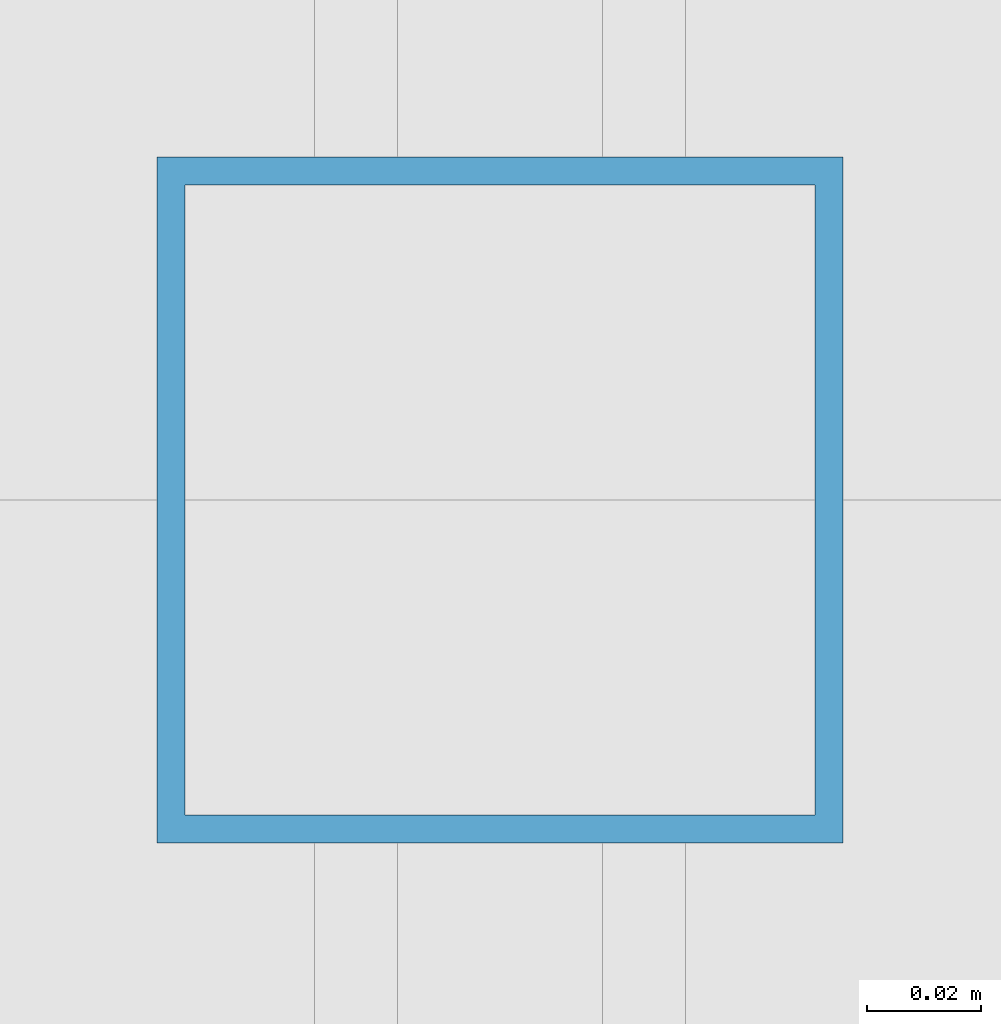
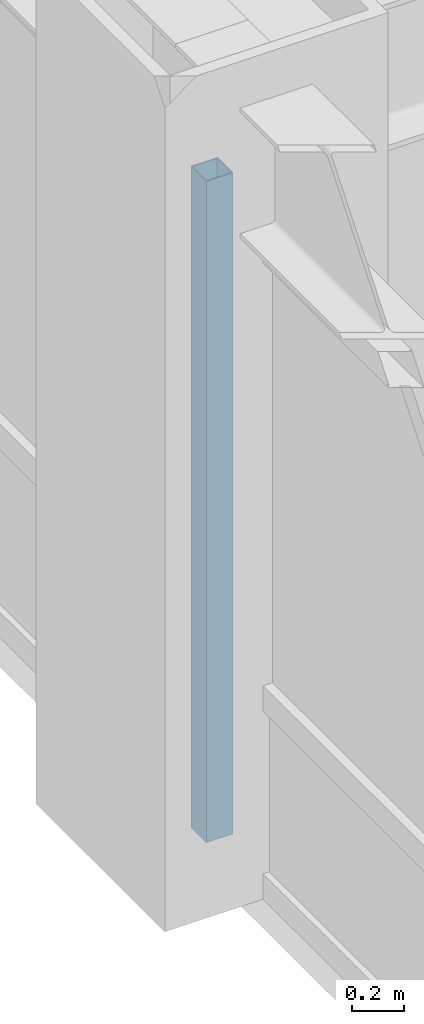
# One storey, part 6 of 29: 1 member, 1 element without a shape of its own.
"""IFC4 building model written with IfcOpenShell, lengths in metres."""

from ifc_helpers import new_model, si_unit, direction, frame, origin, origin_2d, place, context, subcontext, project, spatial, hollow_rectangle, extrude, source, transform, mapped, material, material_profile, profile_set, type_object, element, aggregate, save


model = new_model("IFC4")

# Units and contexts
model_context = context("Model", 3, precision=1e-05, world=origin(), true_north=direction((0.0, 1.0)))
body_context = subcontext(model_context, "Body", "Model", "MODEL_VIEW")
ifc_project = project(units=[si_unit("LENGTHUNIT", "METRE"), si_unit("AREAUNIT", "SQUARE_METRE"), si_unit("VOLUMEUNIT", "CUBIC_METRE"), si_unit("PLANEANGLEUNIT", "RADIAN"), si_unit("MASSUNIT", "GRAM", prefix="KILO")], contexts=[model_context])

# Site, building, storey
site_placement = place(None, origin())
site = spatial("IfcSite", under=ifc_project, at=site_placement, CompositionType="ELEMENT")
building_placement = place(site_placement, origin())
building = spatial("IfcBuilding", under=site, at=building_placement, Name="Khorayat Bourse Tower", CompositionType="ELEMENT")
storey_placement = place(building_placement, frame((0.0, 0.0, 243.10009765625)))
storey = spatial("IfcBuildingStorey", under=building, at=storey_placement, Name="L57", CompositionType="ELEMENT", Elevation=243.10009765625)

# Curtain wall, member
ifc_material = material(Name="Aluminium EN AW-6063 T6", Category="aluminium")
curtain_wall_type = type_object("IfcCurtainWallType", Name="CW-SYS-03", PredefinedType="NOTDEFINED", material=ifc_material)
curtain_wall_placement = place(storey_placement, origin())
curtain_wall = element("IfcCurtainWall", 1, at=curtain_wall_placement, inside=storey, type_object=curtain_wall_type, Name="L57 Curtain Wall CW-L57-W1", PredefinedType="NOTDEFINED")
ifc_material_profile = material_profile(ifc_material, hollow_rectangle(XDim=0.1201171875, YDim=0.1201171875, WallThickness=0.0048828125, at=origin_2d()), Name="ALU 120x120x5")
ifc_profile_set = profile_set([ifc_material_profile], Name="Aluminium EN AW-6063 T6")
member_type = type_object("IfcMemberType", Name="CWM-VERT-120", PredefinedType="MULLION", material=ifc_profile_set)
shared_shape = source(origin(), body_context, "Body", "SweptSolid", [
    extrude(hollow_rectangle(XDim=0.1201171875, YDim=0.1201171875, WallThickness=0.0048828125, at=origin_2d()), origin(), (0.0, 0.0, 1.0), 3.1298828125),
])
member_placement = place(storey_placement, frame((-30.0, 0.0, 0.0), z_axis=(0.0, 0.0, 1.0), x_axis=(-1.0, 0.0, 0.0)))
member = element("IfcMember", 2, at=member_placement, type_object=member_type, Name="CW-L57-W1 Vertical Mullion 2", PredefinedType="MULLION", context=body_context, shape_type="MappedRepresentation", body=[
    mapped(shared_shape, transform((0.0, 0.0, 0.0), scale=1.0)),
])
aggregate(curtain_wall, [member])

save(model, "model.ifc")
